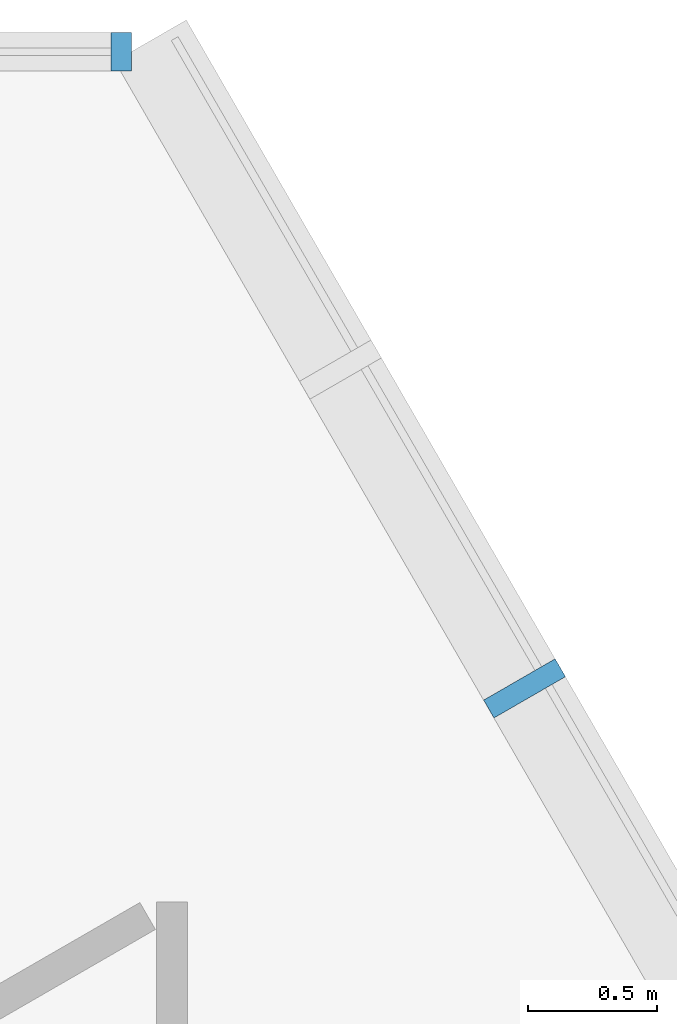
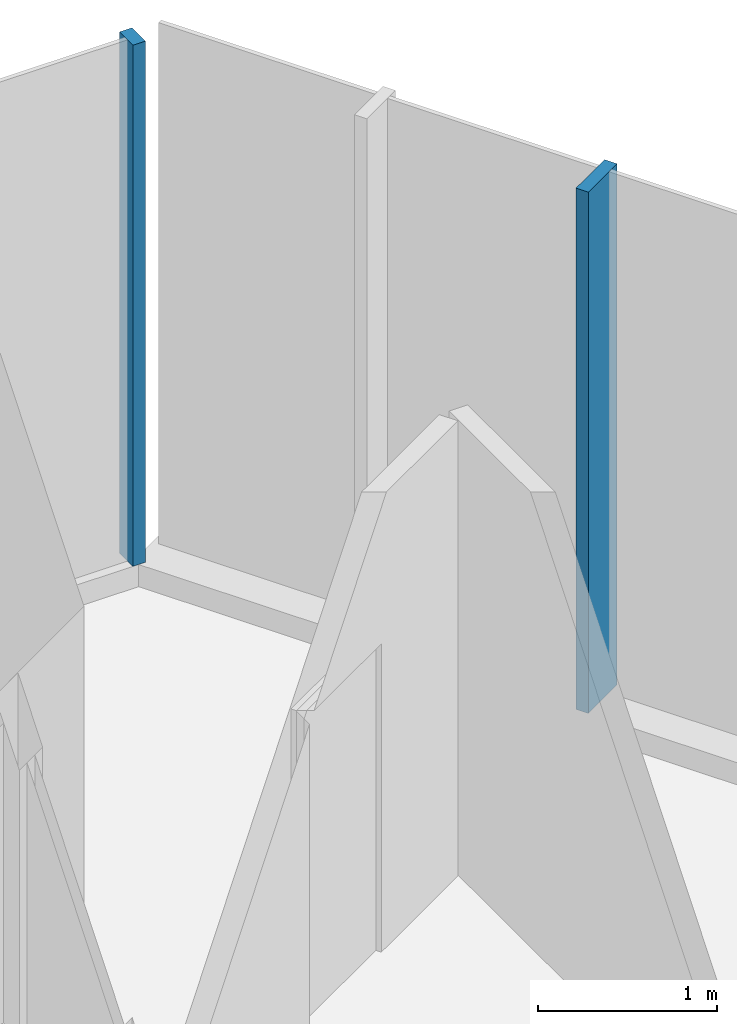
# One storey, part 9 of 23: 2 members, 2 elements without a shape of their own.
"""IFC4 building model written with IfcOpenShell, lengths in metres."""

from ifc_helpers import new_model, si_unit, direction, frame, origin, origin_2d, place, context, subcontext, project, spatial, rectangle, extrude, material, layer, layer_set, material_profile, profile_set, type_object, element, aggregate, save


model = new_model("IFC4")

# Units and contexts
model_context = context("Model", 3, precision=1e-05, world=origin(), true_north=direction((0.0, 1.0)))
body_context = subcontext(model_context, "Body", "Model", "MODEL_VIEW")
ifc_project = project(units=[si_unit("LENGTHUNIT", "METRE"), si_unit("AREAUNIT", "SQUARE_METRE"), si_unit("VOLUMEUNIT", "CUBIC_METRE"), si_unit("PLANEANGLEUNIT", "RADIAN"), si_unit("MASSUNIT", "GRAM", prefix="KILO")], contexts=[model_context])

# Site, building, storey
site_placement = place(None, origin())
site = spatial("IfcSite", under=ifc_project, at=site_placement, CompositionType="ELEMENT")
building_placement = place(site_placement, origin())
building = spatial("IfcBuilding", under=site, at=building_placement, Name="Firuza Gate Tower and Library", CompositionType="ELEMENT")
storey_placement = place(building_placement, frame((0.0, 0.0, 190.89990234375)))
storey = spatial("IfcBuildingStorey", under=building, at=storey_placement, Name="L44", CompositionType="ELEMENT", Elevation=190.89990234375)

# Curtain wall, member
ifc_material_1 = material(Name="Aluminium 6063-T6", Category="aluminium")
ifc_layer_1 = layer(ifc_material_1, 0.14990234375)
ifc_layer_set_1 = layer_set([ifc_layer_1], Name="Corner curtain wall, chamfers")
curtain_wall_type_1 = type_object("IfcCurtainWallType", Name="Corner curtain wall, chamfers", PredefinedType="NOTDEFINED", material=ifc_layer_set_1)
placement = place(storey_placement, origin())
curtain_wall_1 = element("IfcCurtainWall", 1, at=placement, inside=storey, type_object=curtain_wall_type_1, Name="CW4 L44 N corner", PredefinedType="NOTDEFINED")
ifc_material_2 = material(Name="Aluminium 6063-T6", Category="aluminium")
ifc_material_profile_1 = material_profile(ifc_material_2, rectangle(XDim=0.14990234375, YDim=0.080078125, at=origin_2d()))
ifc_profile_set_1 = profile_set([ifc_material_profile_1], Name="Aluminium 6063-T6")
member_type_1 = type_object("IfcMemberType", Name="Curtain wall mullion 80x150", PredefinedType="MULLION", material=ifc_profile_set_1)
member_1_placement = place(storey_placement, frame((78.603271484375, 107.241943359375, 0.150146484375), z_axis=(0.0, 0.0, 1.0), x_axis=(0.0, -1.0, 0.0)))
member_1 = element("IfcMember", 2, at=member_1_placement, type_object=member_type_1, Name="Mullion", PredefinedType="MULLION", context=body_context, shape_type="SweptSolid", body=[
    extrude(rectangle(XDim=0.14990234375, YDim=0.080078125, at=origin_2d()), origin(), (0.0, 0.0, 1.0), 3.550048828125),
])
aggregate(curtain_wall_1, [member_1])

ifc_material_3 = material(Name="Aluminium 6063-T6", Category="aluminium")
ifc_layer_2 = layer(ifc_material_3, 0.14990234375)
ifc_layer_set_2 = layer_set([ifc_layer_2], Name="Unitised curtain wall, hotel")
curtain_wall_type_2 = type_object("IfcCurtainWallType", Name="Unitised curtain wall, hotel", PredefinedType="NOTDEFINED", material=ifc_layer_set_2)
curtain_wall_2 = element("IfcCurtainWall", 3, at=placement, inside=storey, type_object=curtain_wall_type_2, Name="CW2 L44 E face", PredefinedType="NOTDEFINED")
ifc_material_4 = material(Name="Aluminium 6063-T6", Category="aluminium")
ifc_material_profile_2 = material_profile(ifc_material_4, rectangle(XDim=0.320068359375, YDim=0.080078125, at=origin_2d()))
ifc_profile_set_2 = profile_set([ifc_material_profile_2], Name="Aluminium 6063-T6")
member_type_2 = type_object("IfcMemberType", Name="Curtain wall mullion 80x320", PredefinedType="MULLION", material=ifc_profile_set_2)
member_2_placement = place(storey_placement, frame((80.1669921875, 104.77294921875, 0.150146484375), z_axis=(0.0, 0.0, 1.0), x_axis=(-0.866025403784, -0.5, 0.0)))
member_2 = element("IfcMember", 4, at=member_2_placement, type_object=member_type_2, Name="Mullion", PredefinedType="MULLION", context=body_context, shape_type="SweptSolid", body=[
    extrude(rectangle(XDim=0.320068359375, YDim=0.080078125, at=origin_2d()), origin(), (0.0, 0.0, 1.0), 3.550048828125),
])
aggregate(curtain_wall_2, [member_2])

save(model, "model.ifc")
